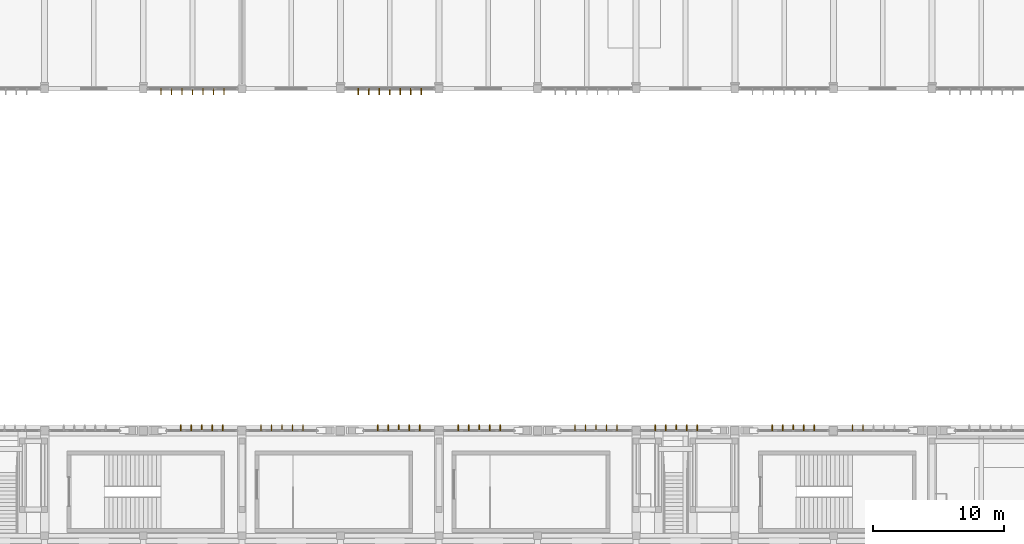
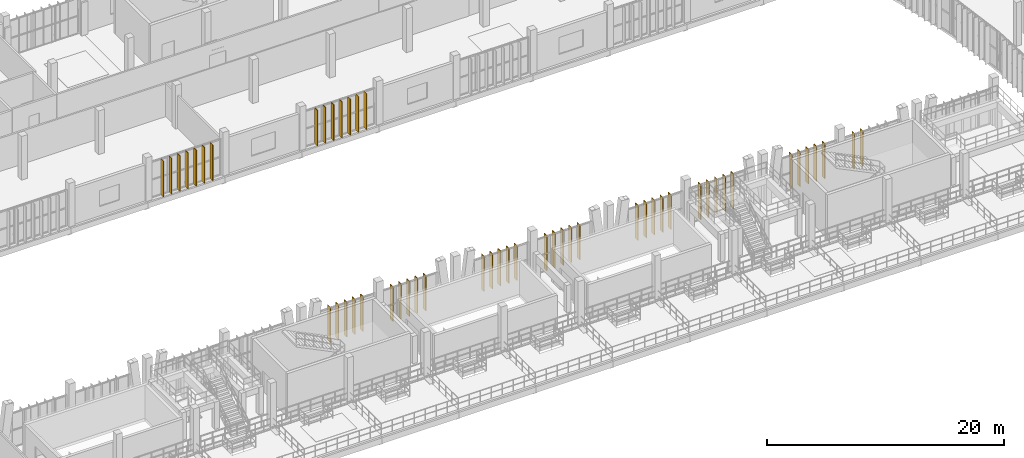
# One storey, part 74 of 81: 51 shading devices.
"""IFC4 building model written with IfcOpenShell, lengths in metres."""

from ifc_helpers import new_model, si_unit, direction, frame, origin, origin_2d, place, context, subcontext, project, spatial, rectangle, extrude, material, material_profile, profile_set, type_object, element, save


model = new_model("IFC4")

# Units and contexts
model_context = context("Model", 3, precision=1e-05, world=origin(), true_north=direction((0.0, 1.0)))
body_context = subcontext(model_context, "Body", "Model", "MODEL_VIEW")
ifc_project = project(units=[si_unit("LENGTHUNIT", "METRE"), si_unit("AREAUNIT", "SQUARE_METRE"), si_unit("VOLUMEUNIT", "CUBIC_METRE"), si_unit("PLANEANGLEUNIT", "RADIAN"), si_unit("MASSUNIT", "GRAM", prefix="KILO")], contexts=[model_context])

# Site, building, storey
site_placement = place(None, origin())
site = spatial("IfcSite", under=ifc_project, at=site_placement, CompositionType="ELEMENT")
building_placement = place(site_placement, origin())
building = spatial("IfcBuilding", under=site, at=building_placement, Name="Vourika Railside Aquatics Centre", CompositionType="ELEMENT")
storey_placement = place(building_placement, frame((0.0, 0.0, 4.800048828125)))
storey = spatial("IfcBuildingStorey", under=building, at=storey_placement, Name="L01", CompositionType="ELEMENT", Elevation=4.800048828125)

# Shading devices
ifc_material = material(Name="Bronze-anodized extruded aluminium", Category="aluminium")
ifc_material_profile = material_profile(ifc_material, rectangle(XDim=0.06005859375, YDim=0.47998046875, at=origin_2d()), Name="ALU-FIN 60x480")
ifc_profile_set = profile_set([ifc_material_profile], Name="Bronze-anodized extruded aluminium")
shading_device_type = type_object("IfcShadingDeviceType", Name="SHD-FIN-F48A", PredefinedType="USERDEFINED", material=ifc_profile_set)
for number, where, z_axis, x_axis, name in (
    (1, (68.844970703125, 66.215087890625, 0.0), (0.0, 0.0, 1.0), (1.0, 0.0, 0.0), "Vertical Solar Fin VSF-0217"),
    (2, (69.64501953125, 66.215087890625, 0.0), (0.0, 0.0, 1.0), (1.0, 0.0, 0.0), "Vertical Solar Fin VSF-0218"),
    (3, (70.445068359375, 66.215087890625, 0.0), (0.0, 0.0, 1.0), (1.0, 0.0, 0.0), "Vertical Solar Fin VSF-0219"),
    (4, (71.2451171875, 66.215087890625, 0.0), (0.0, 0.0, 1.0), (1.0, 0.0, 0.0), "Vertical Solar Fin VSF-0220"),
    (5, (72.044921875, 66.215087890625, 0.0), (0.0, 0.0, 1.0), (1.0, 0.0, 0.0), "Vertical Solar Fin VSF-0221"),
    (6, (74.955078125, 66.215087890625, 0.0), (0.0, 0.0, 1.0), (1.0, 0.0, 0.0), "Vertical Solar Fin VSF-0222"),
    (7, (75.7548828125, 66.215087890625, 0.0), (0.0, 0.0, 1.0), (1.0, 0.0, 0.0), "Vertical Solar Fin VSF-0223"),
    (8, (76.554931640625, 66.215087890625, 0.0), (0.0, 0.0, 1.0), (1.0, 0.0, 0.0), "Vertical Solar Fin VSF-0224"),
    (9, (77.35498046875, 66.215087890625, 0.0), (0.0, 0.0, 1.0), (1.0, 0.0, 0.0), "Vertical Solar Fin VSF-0225"),
    (10, (78.155029296875, 66.215087890625, 0.0), (0.0, 0.0, 1.0), (1.0, 0.0, 0.0), "Vertical Solar Fin VSF-0226"),
    (11, (83.844970703125, 66.215087890625, 0.0), (0.0, 0.0, 1.0), (1.0, 0.0, 0.0), "Vertical Solar Fin VSF-0234"),
    (12, (84.64501953125, 66.215087890625, 0.0), (0.0, 0.0, 1.0), (1.0, 0.0, 0.0), "Vertical Solar Fin VSF-0235"),
    (13, (85.445068359375, 66.215087890625, 0.0), (0.0, 0.0, 1.0), (1.0, 0.0, 0.0), "Vertical Solar Fin VSF-0236"),
    (14, (86.2451171875, 66.215087890625, 0.0), (0.0, 0.0, 1.0), (1.0, 0.0, 0.0), "Vertical Solar Fin VSF-0237"),
    (15, (87.044921875, 66.215087890625, 0.0), (0.0, 0.0, 1.0), (1.0, 0.0, 0.0), "Vertical Solar Fin VSF-0238"),
    (16, (89.955078125, 66.215087890625, 0.0), (0.0, 0.0, 1.0), (1.0, 0.0, 0.0), "Vertical Solar Fin VSF-0239"),
    (17, (90.7548828125, 66.215087890625, 0.0), (0.0, 0.0, 1.0), (1.0, 0.0, 0.0), "Vertical Solar Fin VSF-0240"),
    (18, (91.554931640625, 66.215087890625, 0.0), (0.0, 0.0, 1.0), (1.0, 0.0, 0.0), "Vertical Solar Fin VSF-0241"),
    (19, (92.35498046875, 66.215087890625, 0.0), (0.0, 0.0, 1.0), (1.0, 0.0, 0.0), "Vertical Solar Fin VSF-0242"),
    (20, (93.155029296875, 66.215087890625, 0.0), (0.0, 0.0, 1.0), (1.0, 0.0, 0.0), "Vertical Solar Fin VSF-0243"),
    (21, (98.844970703125, 66.215087890625, 0.0), (0.0, 0.0, 1.0), (1.0, 0.0, 0.0), "Vertical Solar Fin VSF-0251"),
    (22, (99.64501953125, 66.215087890625, 0.0), (0.0, 0.0, 1.0), (1.0, 0.0, 0.0), "Vertical Solar Fin VSF-0252"),
    (23, (100.445068359375, 66.215087890625, 0.0), (0.0, 0.0, 1.0), (1.0, 0.0, 0.0), "Vertical Solar Fin VSF-0253"),
    (24, (101.2451171875, 66.215087890625, 0.0), (0.0, 0.0, 1.0), (1.0, 0.0, 0.0), "Vertical Solar Fin VSF-0254"),
    (25, (102.044921875, 66.215087890625, 0.0), (0.0, 0.0, 1.0), (1.0, 0.0, 0.0), "Vertical Solar Fin VSF-0255"),
    (26, (104.955078125, 66.215087890625, 0.0), (0.0, 0.0, 1.0), (1.0, 0.0, 0.0), "Vertical Solar Fin VSF-0256"),
    (27, (105.7548828125, 66.215087890625, 0.0), (0.0, 0.0, 1.0), (1.0, 0.0, 0.0), "Vertical Solar Fin VSF-0257"),
    (28, (106.554931640625, 66.215087890625, 0.0), (0.0, 0.0, 1.0), (1.0, 0.0, 0.0), "Vertical Solar Fin VSF-0258"),
    (29, (107.35498046875, 66.215087890625, 0.0), (0.0, 0.0, 1.0), (1.0, 0.0, 0.0), "Vertical Solar Fin VSF-0259"),
    (30, (108.155029296875, 66.215087890625, 0.0), (0.0, 0.0, 1.0), (1.0, 0.0, 0.0), "Vertical Solar Fin VSF-0260"),
    (31, (113.844970703125, 66.215087890625, 0.0), (0.0, 0.0, 1.0), (1.0, 0.0, 0.0), "Vertical Solar Fin VSF-0261"),
    (32, (114.64501953125, 66.215087890625, 0.0), (0.0, 0.0, 1.0), (1.0, 0.0, 0.0), "Vertical Solar Fin VSF-0262"),
    (33, (115.445068359375, 66.215087890625, 0.0), (0.0, 0.0, 1.0), (1.0, 0.0, 0.0), "Vertical Solar Fin VSF-0263"),
    (34, (116.2451171875, 66.215087890625, 0.0), (0.0, 0.0, 1.0), (1.0, 0.0, 0.0), "Vertical Solar Fin VSF-0264"),
    (35, (117.044921875, 66.215087890625, 0.0), (0.0, 0.0, 1.0), (1.0, 0.0, 0.0), "Vertical Solar Fin VSF-0265"),
    (36, (119.955078125, 66.215087890625, 0.0), (0.0, 0.0, 1.0), (1.0, 0.0, 0.0), "Vertical Solar Fin VSF-0273"),
    (37, (120.7548828125, 66.215087890625, 0.0), (0.0, 0.0, 1.0), (1.0, 0.0, 0.0), "Vertical Solar Fin VSF-0274"),
):
    element("IfcShadingDevice", number, at=place(storey_placement, frame(where, z_axis=z_axis, x_axis=x_axis)), inside=storey, type_object=shading_device_type, Name=name, ObjectType="FIN", PredefinedType="USERDEFINED", context=body_context, shape_type="SweptSolid", body=[
        extrude(rectangle(XDim=0.06005859375, YDim=0.47998046875, at=origin_2d()), origin(), (0.0, 0.0, 1.0), 3.599853515625),
    ])
for number, where, z_axis, x_axis, name in (
    (38, (67.35009765625, 91.784912109375, 0.0), (0.0, 0.0, 1.0), (-1.0, 0.0, 0.0), "Vertical Solar Fin VSF-0796"),
    (39, (68.14990234375, 91.784912109375, 0.0), (0.0, 0.0, 1.0), (-1.0, 0.0, 0.0), "Vertical Solar Fin VSF-0797"),
    (40, (68.949951171875, 91.784912109375, 0.0), (0.0, 0.0, 1.0), (-1.0, 0.0, 0.0), "Vertical Solar Fin VSF-0798"),
    (41, (69.75, 91.784912109375, 0.0), (0.0, 0.0, 1.0), (-1.0, 0.0, 0.0), "Vertical Solar Fin VSF-0799"),
    (42, (70.550048828125, 91.784912109375, 0.0), (0.0, 0.0, 1.0), (-1.0, 0.0, 0.0), "Vertical Solar Fin VSF-0800"),
    (43, (71.35009765625, 91.784912109375, 0.0), (0.0, 0.0, 1.0), (-1.0, 0.0, 0.0), "Vertical Solar Fin VSF-0801"),
    (44, (72.14990234375, 91.784912109375, 0.0), (0.0, 0.0, 1.0), (-1.0, 0.0, 0.0), "Vertical Solar Fin VSF-0802"),
    (45, (82.35009765625, 91.784912109375, 0.0), (0.0, 0.0, 1.0), (-1.0, 0.0, 0.0), "Vertical Solar Fin VSF-0803"),
    (46, (83.14990234375, 91.784912109375, 0.0), (0.0, 0.0, 1.0), (-1.0, 0.0, 0.0), "Vertical Solar Fin VSF-0804"),
    (47, (83.949951171875, 91.784912109375, 0.0), (0.0, 0.0, 1.0), (-1.0, 0.0, 0.0), "Vertical Solar Fin VSF-0805"),
    (48, (84.75, 91.784912109375, 0.0), (0.0, 0.0, 1.0), (-1.0, 0.0, 0.0), "Vertical Solar Fin VSF-0806"),
    (49, (85.550048828125, 91.784912109375, 0.0), (0.0, 0.0, 1.0), (-1.0, 0.0, 0.0), "Vertical Solar Fin VSF-0807"),
    (50, (86.35009765625, 91.784912109375, 0.0), (0.0, 0.0, 1.0), (-1.0, 0.0, 0.0), "Vertical Solar Fin VSF-0808"),
    (51, (87.14990234375, 91.784912109375, 0.0), (0.0, 0.0, 1.0), (-1.0, 0.0, 0.0), "Vertical Solar Fin VSF-0809"),
):
    element("IfcShadingDevice", number, at=place(storey_placement, frame(where, z_axis=z_axis, x_axis=x_axis)), inside=storey, type_object=shading_device_type, Name=name, ObjectType="FIN", PredefinedType="USERDEFINED", context=body_context, shape_type="SweptSolid", body=[
        extrude(rectangle(XDim=0.06005859375, YDim=0.47998046875, at=origin_2d()), origin(), (0.0, 0.0, 1.0), 3.699951171875),
    ])

save(model, "model.ifc")
